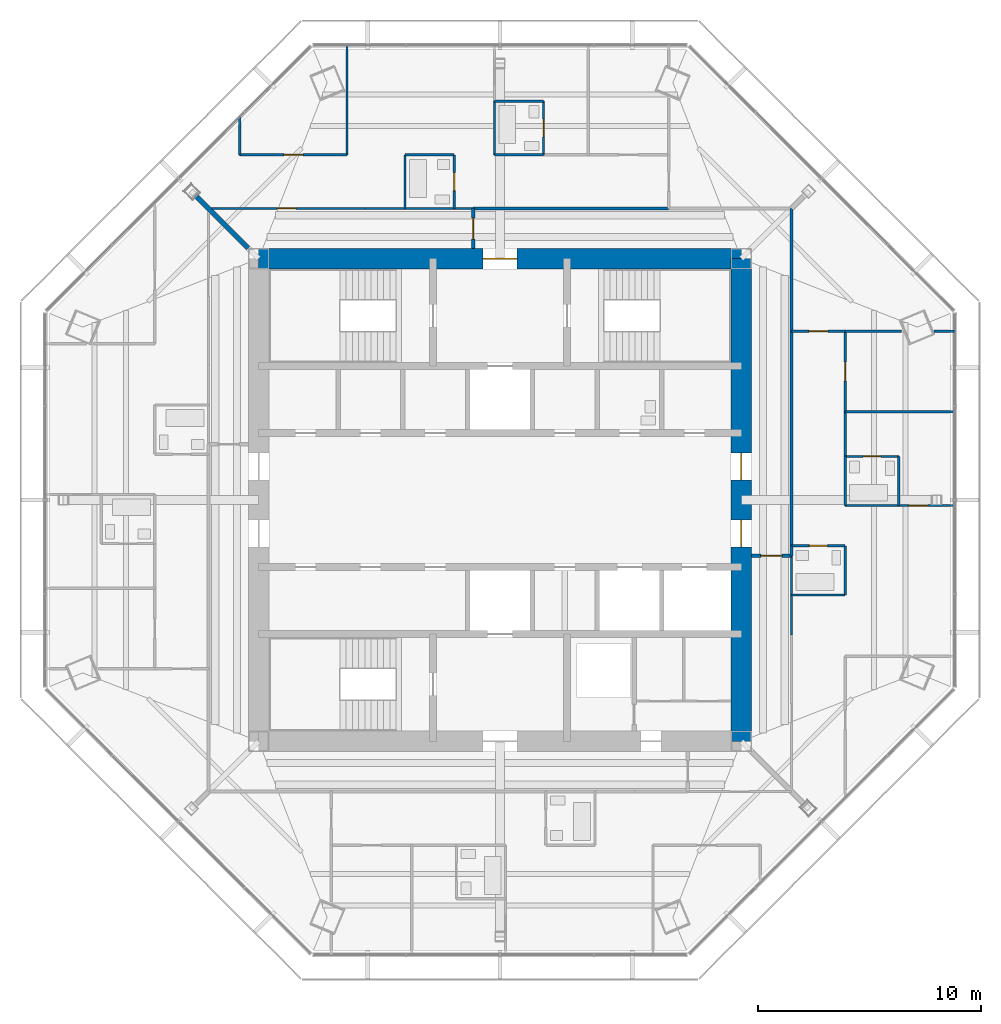
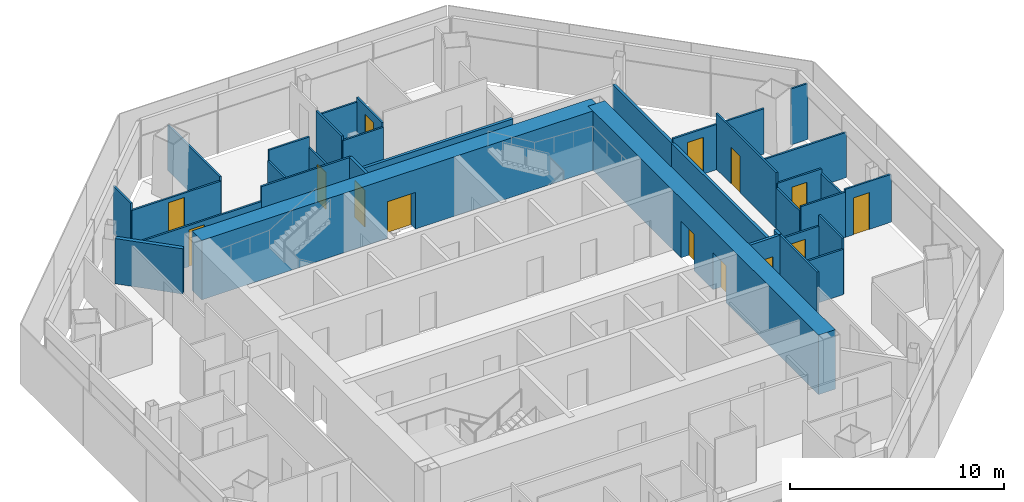
# One storey, part 12 of 15: 35 walls, 14 doors, 14 openings.
"""IFC4 building model written with IfcOpenShell, lengths in metres."""

from ifc_helpers import new_model, si_unit, direction, frame, frame_2d, origin, place, context, subcontext, project, spatial, rectangle, extrude, material, layer, layer_set, type_object, element, fill, save


model = new_model("IFC4")

# Units and contexts
model_context = context("Model", 3, precision=1e-05, world=origin(), true_north=direction((0.0, 1.0)))
body_context = subcontext(model_context, "Body", "Model", "MODEL_VIEW")
ifc_project = project(units=[si_unit("LENGTHUNIT", "METRE"), si_unit("AREAUNIT", "SQUARE_METRE"), si_unit("VOLUMEUNIT", "CUBIC_METRE"), si_unit("PLANEANGLEUNIT", "RADIAN"), si_unit("MASSUNIT", "GRAM", prefix="KILO")], contexts=[model_context])

# Site, building, storey
site_placement = place(None, origin())
site = spatial("IfcSite", under=ifc_project, at=site_placement, CompositionType="ELEMENT")
building_placement = place(site_placement, origin())
building = spatial("IfcBuilding", under=site, at=building_placement, Name="Mashrafa Tower", CompositionType="ELEMENT")
storey_placement = place(building_placement, frame((0.0, 0.0, 270.800048828125)))
storey = spatial("IfcBuildingStorey", under=building, at=storey_placement, Name="L65", CompositionType="ELEMENT", Elevation=270.800048828125)

# Wall
ifc_material_1 = material(Name="Gypsum board on steel studs", Category="steel")
ifc_layer_1 = layer(ifc_material_1, 0.199951171875)
ifc_layer_set_1 = layer_set([ifc_layer_1], Name="Acoustic partition 200 1 hr")
wall_type_1 = type_object("IfcWallType", Name="Acoustic partition 200 1 hr", PredefinedType="PARTITIONING", material=ifc_layer_set_1)
wall_1_placement = place(storey_placement, frame((-13.586181640625, 13.586181640625, 0.0), z_axis=(0.0, 0.0, 1.0), x_axis=(0.707106781187, -0.707106781187, 0.0)))
element("IfcWall", 1, at=wall_1_placement, inside=storey, type_object=wall_type_1, Name="Acoustic wall L65-065", PredefinedType="PARTITIONING", context=body_context, shape_type="SweptSolid", body=[
    extrude(rectangle(XDim=3.27685546875, YDim=0.199951171875, at=frame_2d((1.638427734375, 0.0))), origin(), (0.0, 0.0, 1.0), 2.590576171875),
])

# Wall, openings, doors
ifc_material_2 = material(Name="Concrete C50/60", Category="concrete")
ifc_layer_2 = layer(ifc_material_2, 0.89990234375)
ifc_layer_set_2 = layer_set([ifc_layer_2], Name="Core wall 900 C50/60")
wall_type_2 = type_object("IfcWallType", Name="Core wall 900 C50/60", PredefinedType="SOLIDWALL", material=ifc_layer_set_2)
wall_2_placement = place(storey_placement, frame((10.800048828125, -10.800048828125, 0.0), z_axis=(0.0, 0.0, 1.0), x_axis=(0.0, 1.0, 0.0)))
wall_2 = element("IfcWall", 2, at=wall_2_placement, inside=storey, type_object=wall_type_2, Name="Core wall CW-E L65", PredefinedType="SOLIDWALL", context=body_context, shape_type="SweptSolid", body=[
    extrude(rectangle(XDim=21.60009765625, YDim=0.89990234375, at=frame_2d((10.800048828125, 0.0))), origin(), (0.0, 0.0, 1.0), 3.39990234375),
])
opening_1_placement = place(wall_2_placement, frame((11.699951171875, 0.0, 0.0)))
opening_1 = element("IfcOpeningElement", 3, at=opening_1_placement, cuts=wall_2, Name="Opening 65.033", PredefinedType="OPENING", context=body_context, shape_type="SweptSolid", body=[
    extrude(rectangle(XDim=1.199951171875, YDim=2.10009765625, at=frame_2d((0.60009765625, 1.050048828125))), frame((0.0, 0.4599609375, 0.0), z_axis=(0.0, -1.0, 0.0), x_axis=(1.0, 0.0, 0.0)), (0.0, 0.0, 1.0), 0.919921875),
])
opening_2_placement = place(wall_2_placement, frame((8.699951171875, 0.0, 0.0)))
opening_2 = element("IfcOpeningElement", 4, at=opening_2_placement, cuts=wall_2, Name="Opening 65.035", PredefinedType="OPENING", context=body_context, shape_type="SweptSolid", body=[
    extrude(rectangle(XDim=1.199951171875, YDim=2.10009765625, at=frame_2d((0.60009765625, 1.050048828125))), frame((0.0, 0.4599609375, 0.0), z_axis=(0.0, -1.0, 0.0), x_axis=(1.0, 0.0, 0.0)), (0.0, 0.0, 1.0), 0.919921875),
])
ifc_material_3 = material(Name="Steel door", Category="steel")
door_type_1 = type_object("IfcDoorType", Name="Lift hall door 1200 x 2100 90 min", OperationType="USERDEFINED", PredefinedType="DOOR", material=ifc_material_3)
door_1_placement = place(opening_1_placement, frame((1.199951171875, 0.0, 0.0), z_axis=(0.0, 0.0, 1.0), x_axis=(-1.0, 0.0, 0.0)))
door_1 = element("IfcDoor", 5, at=door_1_placement, inside=storey, type_object=door_type_1, Name="Lift hall door east L65", OperationType="SINGLE_SWING_RIGHT", OverallHeight=2.10009765625, OverallWidth=1.199951171875, PredefinedType="DOOR", context=body_context, shape_type="SweptSolid", body=[
    extrude(rectangle(XDim=1.199951171875, YDim=2.10009765625, at=frame_2d((0.60009765625, 1.050048828125))), frame((0.0, 0.02490234375, 0.0), z_axis=(0.0, -1.0, 0.0), x_axis=(1.0, 0.0, 0.0)), (0.0, 0.0, 1.0), 0.050048828125),
])
fill(opening_1, door_1)
door_2_placement = place(opening_2_placement, origin())
door_2 = element("IfcDoor", 6, at=door_2_placement, inside=storey, type_object=door_type_1, Name="Lift hall door east L65", OperationType="SINGLE_SWING_LEFT", OverallHeight=2.10009765625, OverallWidth=1.199951171875, PredefinedType="DOOR", context=body_context, shape_type="SweptSolid", body=[
    extrude(rectangle(XDim=1.199951171875, YDim=2.10009765625, at=frame_2d((0.60009765625, 1.050048828125))), frame((0.0, 0.02490234375, 0.0), z_axis=(0.0, -1.0, 0.0), x_axis=(1.0, 0.0, 0.0)), (0.0, 0.0, 1.0), 0.050048828125),
])
fill(opening_2, door_2)

# Wall, opening, door
wall_3_placement = place(storey_placement, frame((10.800048828125, 10.800048828125, 0.0), z_axis=(0.0, 0.0, 1.0), x_axis=(-1.0, 0.0, 0.0)))
wall_3 = element("IfcWall", 7, at=wall_3_placement, inside=storey, type_object=wall_type_2, Name="Core wall CW-N L65", PredefinedType="SOLIDWALL", context=body_context, shape_type="SweptSolid", body=[
    extrude(rectangle(XDim=21.60009765625, YDim=0.89990234375, at=frame_2d((10.800048828125, 0.0))), origin(), (0.0, 0.0, 1.0), 3.39990234375),
])
opening_3_placement = place(wall_3_placement, frame((10.050048828125, 0.0, 0.0)))
opening_3 = element("IfcOpeningElement", 8, at=opening_3_placement, cuts=wall_3, Name="Opening 65.037", PredefinedType="OPENING", context=body_context, shape_type="SweptSolid", body=[
    extrude(rectangle(XDim=1.5, YDim=2.10009765625, at=frame_2d((0.75, 1.050048828125))), frame((0.0, 0.4599609375, 0.0), z_axis=(0.0, -1.0, 0.0), x_axis=(1.0, 0.0, 0.0)), (0.0, 0.0, 1.0), 0.919921875),
])
ifc_material_4 = material(Name="Steel door", Category="steel")
door_type_2 = type_object("IfcDoorType", Name="Lobby door pair 1500 x 2100 90 min", OperationType="DOUBLE_DOOR_SINGLE_SWING", PredefinedType="DOOR", material=ifc_material_4)
door_3_placement = place(opening_3_placement, origin())
door_3 = element("IfcDoor", 9, at=door_3_placement, inside=storey, type_object=door_type_2, Name="Fire-fighting lobby F1 door L65", OperationType="DOUBLE_DOOR_SINGLE_SWING", OverallHeight=2.10009765625, OverallWidth=1.5, PredefinedType="DOOR", context=body_context, shape_type="SweptSolid", body=[
    extrude(rectangle(XDim=1.5, YDim=2.10009765625, at=frame_2d((0.75, 1.050048828125))), frame((0.0, 0.02490234375, 0.0), z_axis=(0.0, -1.0, 0.0), x_axis=(1.0, 0.0, 0.0)), (0.0, 0.0, 1.0), 0.050048828125),
])
fill(opening_3, door_3)

# Walls
ifc_material_5 = material(Name="Gypsum board on steel studs", Category="steel")
ifc_layer_3 = layer(ifc_material_5, 0.14990234375)
ifc_layer_set_3 = layer_set([ifc_layer_3], Name="Corridor partition 150 1 hr")
wall_type_3 = type_object("IfcWallType", Name="Corridor partition 150 1 hr", PredefinedType="PARTITIONING", material=ifc_layer_set_3)
wall_4_placement = place(storey_placement, frame((13.050048828125, -2.5, 0.0), z_axis=(0.0, 0.0, 1.0), x_axis=(0.0, 1.0, 0.0)))
element("IfcWall", 10, at=wall_4_placement, inside=storey, type_object=wall_type_3, Name="Corridor wall L65-001", PredefinedType="PARTITIONING", context=body_context, shape_type="SweptSolid", body=[
    extrude(rectangle(XDim=0.450927734375, YDim=0.14990234375, at=frame_2d((0.2255859375, 0.0))), origin(), (0.0, 0.0, 1.0), 3.199951171875),
])
wall_5_placement = place(storey_placement, frame((13.050048828125, 7.549072265625, 0.0), z_axis=(0.0, 0.0, 1.0), x_axis=(0.0, 1.0, 0.0)))
element("IfcWall", 11, at=wall_5_placement, inside=storey, type_object=wall_type_3, Name="Corridor wall L65-002", PredefinedType="PARTITIONING", context=body_context, shape_type="SweptSolid", body=[
    extrude(rectangle(XDim=5.5009765625, YDim=0.14990234375, at=frame_2d((2.75048828125, 0.0))), origin(), (0.0, 0.0, 1.0), 2.349365234375),
])
wall_6_placement = place(storey_placement, frame((13.050048828125, -2.051025390625, 0.0), z_axis=(0.0, 0.0, 1.0), x_axis=(0.0, 1.0, 0.0)))
element("IfcWall", 12, at=wall_6_placement, inside=storey, type_object=wall_type_3, Name="Corridor wall L65-003", PredefinedType="PARTITIONING", context=body_context, shape_type="SweptSolid", body=[
    extrude(rectangle(XDim=9.60205078125, YDim=0.14990234375, at=frame_2d((4.801025390625, 0.0))), origin(), (0.0, 0.0, 1.0), 2.34423828125),
])
wall_7_placement = place(storey_placement, frame((7.551025390625, 13.050048828125, 0.0), z_axis=(0.0, 0.0, 1.0), x_axis=(-1.0, 0.0, 0.0)))
element("IfcWall", 13, at=wall_7_placement, inside=storey, type_object=wall_type_3, Name="Corridor wall L65-005", PredefinedType="PARTITIONING", context=body_context, shape_type="SweptSolid", body=[
    extrude(rectangle(XDim=8.7509765625, YDim=0.14990234375, at=frame_2d((4.37548828125, 0.0))), origin(), (0.0, 0.0, 1.0), 2.34423828125),
])

# Wall, opening, door
wall_8_placement = place(storey_placement, frame((11.25, -2.5, 0.0), z_axis=(0.0, 0.0, 1.0), x_axis=(1.0, 0.0, 0.0)))
wall_8 = element("IfcWall", 14, at=wall_8_placement, inside=storey, type_object=wall_type_3, Name="Corridor wall L65-006", PredefinedType="PARTITIONING", context=body_context, shape_type="SweptSolid", body=[
    extrude(rectangle(XDim=1.800048828125, YDim=0.14990234375, at=frame_2d((0.89990234375, 0.0))), origin(), (0.0, 0.0, 1.0), 3.199951171875),
])
opening_4_placement = place(wall_8_placement, frame((0.425048828125, 0.0, 0.0)))
opening_4 = element("IfcOpeningElement", 15, at=opening_4_placement, cuts=wall_8, Name="Opening 65.029", PredefinedType="OPENING", context=body_context, shape_type="SweptSolid", body=[
    extrude(rectangle(XDim=0.949951171875, YDim=2.10009765625, at=frame_2d((0.47509765625, 1.050048828125))), frame((0.0, 0.0849609375, 0.0), z_axis=(0.0, -1.0, 0.0), x_axis=(1.0, 0.0, 0.0)), (0.0, 0.0, 1.0), 0.169921875),
])
ifc_material_6 = material(Name="Steel door", Category="steel")
door_type_3 = type_object("IfcDoorType", Name="Residence entrance door 950 x 2100 20 min", OperationType="USERDEFINED", PredefinedType="DOOR", material=ifc_material_6)
door_4_placement = place(opening_4_placement, origin())
door_4 = element("IfcDoor", 16, at=door_4_placement, inside=storey, type_object=door_type_3, Name="Apartment 6501 Entrance Hall door", OperationType="SINGLE_SWING_RIGHT", OverallHeight=2.10009765625, OverallWidth=0.949951171875, PredefinedType="DOOR", context=body_context, shape_type="SweptSolid", body=[
    extrude(rectangle(XDim=0.949951171875, YDim=2.10009765625, at=frame_2d((0.47509765625, 1.050048828125))), frame((0.0, 0.02490234375, 0.0), z_axis=(0.0, -1.0, 0.0), x_axis=(1.0, 0.0, 0.0)), (0.0, 0.0, 1.0), 0.050048828125),
])
fill(opening_4, door_4)

wall_9_placement = place(storey_placement, frame((-1.199951171875, 13.050048828125, 0.0), z_axis=(0.0, 0.0, 1.0), x_axis=(0.0, -1.0, 0.0)))
wall_9 = element("IfcWall", 17, at=wall_9_placement, inside=storey, type_object=wall_type_3, Name="Corridor wall L65-007", PredefinedType="PARTITIONING", context=body_context, shape_type="SweptSolid", body=[
    extrude(rectangle(XDim=1.800048828125, YDim=0.14990234375, at=frame_2d((0.89990234375, 0.0))), origin(), (0.0, 0.0, 1.0), 3.199951171875),
])
opening_5_placement = place(wall_9_placement, frame((0.425048828125, 0.0, 0.0)))
opening_5 = element("IfcOpeningElement", 18, at=opening_5_placement, cuts=wall_9, Name="Opening 65.031", PredefinedType="OPENING", context=body_context, shape_type="SweptSolid", body=[
    extrude(rectangle(XDim=0.949951171875, YDim=2.10009765625, at=frame_2d((0.47509765625, 1.050048828125))), frame((0.0, 0.0849609375, 0.0), z_axis=(0.0, -1.0, 0.0), x_axis=(1.0, 0.0, 0.0)), (0.0, 0.0, 1.0), 0.169921875),
])
door_5_placement = place(opening_5_placement, origin())
door_5 = element("IfcDoor", 19, at=door_5_placement, inside=storey, type_object=door_type_3, Name="Apartment 6502 Entrance Hall door", OperationType="SINGLE_SWING_LEFT", OverallHeight=2.10009765625, OverallWidth=0.949951171875, PredefinedType="DOOR", context=body_context, shape_type="SweptSolid", body=[
    extrude(rectangle(XDim=0.949951171875, YDim=2.10009765625, at=frame_2d((0.47509765625, 1.050048828125))), frame((0.0, 0.02490234375, 0.0), z_axis=(0.0, -1.0, 0.0), x_axis=(1.0, 0.0, 0.0)), (0.0, 0.0, 1.0), 0.050048828125),
])
fill(opening_5, door_5)

# Wall
ifc_material_7 = material(Name="Gypsum board on steel studs", Category="steel")
ifc_layer_4 = layer(ifc_material_7, 0.10009765625)
ifc_layer_set_4 = layer_set([ifc_layer_4], Name="Partition 100")
wall_type_4 = type_object("IfcWallType", Name="Partition 100", PredefinedType="PARTITIONING", material=ifc_layer_set_4)
wall_10_placement = place(storey_placement, frame((-11.64990234375, 17.111328125, 0.0), z_axis=(0.0, 0.0, 1.0), x_axis=(0.0, -1.0, 0.0)))
element("IfcWall", 20, at=wall_10_placement, inside=storey, type_object=wall_type_4, Name="Partition wall L65-021", PredefinedType="PARTITIONING", context=body_context, shape_type="SweptSolid", body=[
    extrude(rectangle(XDim=1.661376953125, YDim=0.10009765625, at=frame_2d((0.83056640625, 0.0))), origin(), (0.0, 0.0, 1.0), 2.740234375),
])

# Wall, opening, door
wall_11_placement = place(storey_placement, frame((-11.64990234375, 15.449951171875, 0.0), z_axis=(0.0, 0.0, 1.0), x_axis=(1.0, 0.0, 0.0)))
wall_11 = element("IfcWall", 21, at=wall_11_placement, inside=storey, type_object=wall_type_4, Name="Partition wall L65-022", PredefinedType="PARTITIONING", context=body_context, shape_type="SweptSolid", body=[
    extrude(rectangle(XDim=4.7998046875, YDim=0.10009765625, at=frame_2d((2.39990234375, 0.0))), origin(), (0.0, 0.0, 1.0), 2.349365234375),
])
opening_6_placement = place(wall_11_placement, frame((1.97509765625, 0.0, 0.0)))
opening_6 = element("IfcOpeningElement", 22, at=opening_6_placement, cuts=wall_11, Name="Opening 65.002", PredefinedType="OPENING", context=body_context, shape_type="SweptSolid", body=[
    extrude(rectangle(XDim=0.85009765625, YDim=2.10009765625, at=frame_2d((0.425048828125, 1.050048828125))), frame((0.0, 0.06005859375, 0.0), z_axis=(0.0, -1.0, 0.0), x_axis=(1.0, 0.0, 0.0)), (0.0, 0.0, 1.0), 0.1201171875),
])
ifc_material_8 = material(Name="Timber door", Category="wood")
door_type_4 = type_object("IfcDoorType", Name="Bedroom door 850 x 2100", OperationType="USERDEFINED", PredefinedType="DOOR", material=ifc_material_8)
door_6_placement = place(opening_6_placement, origin())
door_6 = element("IfcDoor", 23, at=door_6_placement, inside=storey, type_object=door_type_4, Name="Apartment 6502 Dining Room door", OperationType="SINGLE_SWING_LEFT", OverallHeight=2.10009765625, OverallWidth=0.85009765625, PredefinedType="DOOR", context=body_context, shape_type="SweptSolid", body=[
    extrude(rectangle(XDim=0.85009765625, YDim=2.10009765625, at=frame_2d((0.425048828125, 1.050048828125))), frame((0.0, 0.02490234375, 0.0), z_axis=(0.0, -1.0, 0.0), x_axis=(1.0, 0.0, 0.0)), (0.0, 0.0, 1.0), 0.050048828125),
])
fill(opening_6, door_6)

# Walls
wall_12_placement = place(storey_placement, frame((-6.85009765625, 15.449951171875, 0.0), z_axis=(0.0, 0.0, 1.0), x_axis=(0.0, 1.0, 0.0)))
element("IfcWall", 24, at=wall_12_placement, inside=storey, type_object=wall_type_4, Name="Partition wall L65-023", PredefinedType="PARTITIONING", context=body_context, shape_type="SweptSolid", body=[
    extrude(rectangle(XDim=4.88623046875, YDim=0.10009765625, at=frame_2d((2.443115234375, 0.0))), origin(), (0.0, 0.0, 1.0), 2.590576171875),
])
wall_13_placement = place(storey_placement, frame((15.449951171875, -4.25, 0.0), z_axis=(0.0, 0.0, 1.0), x_axis=(-1.0, 0.0, 0.0)))
element("IfcWall", 25, at=wall_13_placement, inside=storey, type_object=wall_type_4, Name="Partition wall L65-030", PredefinedType="PARTITIONING", context=body_context, shape_type="SweptSolid", body=[
    extrude(rectangle(XDim=2.39990234375, YDim=0.10009765625, at=frame_2d((1.199951171875, 0.0))), origin(), (0.0, 0.0, 1.0), 2.590576171875),
])
wall_14_placement = place(storey_placement, frame((13.050048828125, -6.050048828125, 0.0), z_axis=(0.0, 0.0, 1.0), x_axis=(0.0, 1.0, 0.0)))
element("IfcWall", 26, at=wall_14_placement, inside=storey, type_object=wall_type_4, Name="Partition wall L65-031", PredefinedType="PARTITIONING", context=body_context, shape_type="SweptSolid", body=[
    extrude(rectangle(XDim=3.551025390625, YDim=0.10009765625, at=frame_2d((1.775390625, 0.0))), origin(), (0.0, 0.0, 1.0), 3.199951171875),
])
wall_15_placement = place(storey_placement, frame((15.449951171875, -4.25, 0.0), z_axis=(0.0, 0.0, 1.0), x_axis=(0.0, 1.0, 0.0)))
element("IfcWall", 27, at=wall_15_placement, inside=storey, type_object=wall_type_4, Name="Partition wall L65-032", PredefinedType="PARTITIONING", context=body_context, shape_type="SweptSolid", body=[
    extrude(rectangle(XDim=2.199951171875, YDim=0.10009765625, at=frame_2d((1.10009765625, 0.0))), origin(), (0.0, 0.0, 1.0), 3.199951171875),
])

# Wall, opening, door
wall_16_placement = place(storey_placement, frame((15.449951171875, -2.050048828125, 0.0), z_axis=(0.0, 0.0, 1.0), x_axis=(-1.0, 0.0, 0.0)))
wall_16 = element("IfcWall", 28, at=wall_16_placement, inside=storey, type_object=wall_type_4, Name="Partition wall L65-033", PredefinedType="PARTITIONING", context=body_context, shape_type="SweptSolid", body=[
    extrude(rectangle(XDim=2.39990234375, YDim=0.10009765625, at=frame_2d((1.199951171875, 0.0))), origin(), (0.0, 0.0, 1.0), 2.590576171875),
])
opening_7_placement = place(wall_16_placement, frame((0.800048828125, 0.0, 0.0)))
opening_7 = element("IfcOpeningElement", 29, at=opening_7_placement, cuts=wall_16, Name="Opening 65.005", PredefinedType="OPENING", context=body_context, shape_type="SweptSolid", body=[
    extrude(rectangle(XDim=0.800048828125, YDim=2.10009765625, at=frame_2d((0.39990234375, 1.050048828125))), frame((0.0, 0.06005859375, 0.0), z_axis=(0.0, -1.0, 0.0), x_axis=(1.0, 0.0, 0.0)), (0.0, 0.0, 1.0), 0.1201171875),
])
ifc_material_9 = material(Name="Timber door", Category="wood")
door_type_5 = type_object("IfcDoorType", Name="Bathroom door 800 x 2100", OperationType="USERDEFINED", PredefinedType="DOOR", material=ifc_material_9)
door_7_placement = place(opening_7_placement, origin())
door_7 = element("IfcDoor", 30, at=door_7_placement, inside=storey, type_object=door_type_5, Name="Apartment 6501 Bathroom door", OperationType="SINGLE_SWING_RIGHT", OverallHeight=2.10009765625, OverallWidth=0.800048828125, PredefinedType="DOOR", context=body_context, shape_type="SweptSolid", body=[
    extrude(rectangle(XDim=0.800048828125, YDim=2.10009765625, at=frame_2d((0.39990234375, 1.050048828125))), frame((0.0, 0.02490234375, 0.0), z_axis=(0.0, -1.0, 0.0), x_axis=(1.0, 0.0, 0.0)), (0.0, 0.0, 1.0), 0.050048828125),
])
fill(opening_7, door_7)

# Wall
wall_17_placement = place(storey_placement, frame((17.85009765625, -0.25, 0.0), z_axis=(0.0, 0.0, 1.0), x_axis=(0.0, 1.0, 0.0)))
element("IfcWall", 31, at=wall_17_placement, inside=storey, type_object=wall_type_4, Name="Partition wall L65-035", PredefinedType="PARTITIONING", context=body_context, shape_type="SweptSolid", body=[
    extrude(rectangle(XDim=2.199951171875, YDim=0.10009765625, at=frame_2d((1.10009765625, 0.0))), origin(), (0.0, 0.0, 1.0), 2.34423828125),
])

# Wall, opening, door
wall_18_placement = place(storey_placement, frame((17.85009765625, 1.949951171875, 0.0), z_axis=(0.0, 0.0, 1.0), x_axis=(-1.0, 0.0, 0.0)))
wall_18 = element("IfcWall", 32, at=wall_18_placement, inside=storey, type_object=wall_type_4, Name="Partition wall L65-036", PredefinedType="PARTITIONING", context=body_context, shape_type="SweptSolid", body=[
    extrude(rectangle(XDim=2.400146484375, YDim=0.10009765625, at=frame_2d((1.2001953125, 0.0))), origin(), (0.0, 0.0, 1.0), 2.590576171875),
])
opening_8_placement = place(wall_18_placement, frame((0.800048828125, 0.0, 0.0)))
opening_8 = element("IfcOpeningElement", 33, at=opening_8_placement, cuts=wall_18, Name="Opening 65.006", PredefinedType="OPENING", context=body_context, shape_type="SweptSolid", body=[
    extrude(rectangle(XDim=0.800048828125, YDim=2.10009765625, at=frame_2d((0.39990234375, 1.050048828125))), frame((0.0, 0.06005859375, 0.0), z_axis=(0.0, -1.0, 0.0), x_axis=(1.0, 0.0, 0.0)), (0.0, 0.0, 1.0), 0.1201171875),
])
door_8_placement = place(opening_8_placement, origin())
door_8 = element("IfcDoor", 34, at=door_8_placement, inside=storey, type_object=door_type_5, Name="Apartment 6501 En-suite Bathroom door", OperationType="SINGLE_SWING_LEFT", OverallHeight=2.10009765625, OverallWidth=0.800048828125, PredefinedType="DOOR", context=body_context, shape_type="SweptSolid", body=[
    extrude(rectangle(XDim=0.800048828125, YDim=2.10009765625, at=frame_2d((0.39990234375, 1.050048828125))), frame((0.0, 0.02490234375, 0.0), z_axis=(0.0, -1.0, 0.0), x_axis=(1.0, 0.0, 0.0)), (0.0, 0.0, 1.0), 0.050048828125),
])
fill(opening_8, door_8)

# Walls
wall_19_placement = place(storey_placement, frame((15.449951171875, 1.949951171875, 0.0), z_axis=(0.0, 0.0, 1.0), x_axis=(0.0, -1.0, 0.0)))
element("IfcWall", 35, at=wall_19_placement, inside=storey, type_object=wall_type_4, Name="Partition wall L65-037", PredefinedType="PARTITIONING", context=body_context, shape_type="SweptSolid", body=[
    extrude(rectangle(XDim=2.199951171875, YDim=0.10009765625, at=frame_2d((1.10009765625, 0.0))), origin(), (0.0, 0.0, 1.0), 2.34423828125),
])
wall_20_placement = place(storey_placement, frame((15.449951171875, -0.25, 0.0), z_axis=(0.0, 0.0, 1.0), x_axis=(1.0, 0.0, 0.0)))
element("IfcWall", 36, at=wall_20_placement, inside=storey, type_object=wall_type_4, Name="Partition wall L65-038", PredefinedType="PARTITIONING", context=body_context, shape_type="SweptSolid", body=[
    extrude(rectangle(XDim=2.400146484375, YDim=0.10009765625, at=frame_2d((1.2001953125, 0.0))), origin(), (0.0, 0.0, 1.0), 2.590576171875),
])
wall_21_placement = place(storey_placement, frame((20.336181640625, 3.949951171875, 0.0), z_axis=(0.0, 0.0, 1.0), x_axis=(-1.0, 0.0, 0.0)))
element("IfcWall", 37, at=wall_21_placement, inside=storey, type_object=wall_type_4, Name="Partition wall L65-039", PredefinedType="PARTITIONING", context=body_context, shape_type="SweptSolid", body=[
    extrude(rectangle(XDim=4.88623046875, YDim=0.10009765625, at=frame_2d((2.443115234375, 0.0))), origin(), (0.0, 0.0, 1.0), 2.590576171875),
])

# Wall, opening, door
wall_22_placement = place(storey_placement, frame((15.449951171875, 1.949951171875, 0.0), z_axis=(0.0, 0.0, 1.0), x_axis=(0.0, 1.0, 0.0)))
wall_22 = element("IfcWall", 38, at=wall_22_placement, inside=storey, type_object=wall_type_4, Name="Partition wall L65-040", PredefinedType="PARTITIONING", context=body_context, shape_type="SweptSolid", body=[
    extrude(rectangle(XDim=5.60009765625, YDim=0.10009765625, at=frame_2d((2.800048828125, 0.0))), origin(), (0.0, 0.0, 1.0), 3.199951171875),
])
opening_9_placement = place(wall_22_placement, frame((3.375, 0.0, 0.0)))
opening_9 = element("IfcOpeningElement", 39, at=opening_9_placement, cuts=wall_22, Name="Opening 65.008", PredefinedType="OPENING", context=body_context, shape_type="SweptSolid", body=[
    extrude(rectangle(XDim=0.85009765625, YDim=2.10009765625, at=frame_2d((0.425048828125, 1.050048828125))), frame((0.0, 0.06005859375, 0.0), z_axis=(0.0, -1.0, 0.0), x_axis=(1.0, 0.0, 0.0)), (0.0, 0.0, 1.0), 0.1201171875),
])
door_9_placement = place(opening_9_placement, frame((0.85009765625, 0.0, 0.0), z_axis=(0.0, 0.0, 1.0), x_axis=(-1.0, 0.0, 0.0)))
door_9 = element("IfcDoor", 40, at=door_9_placement, inside=storey, type_object=door_type_4, Name="Apartment 6501 Bedroom 2 door", OperationType="SINGLE_SWING_RIGHT", OverallHeight=2.10009765625, OverallWidth=0.85009765625, PredefinedType="DOOR", context=body_context, shape_type="SweptSolid", body=[
    extrude(rectangle(XDim=0.85009765625, YDim=2.10009765625, at=frame_2d((0.425048828125, 1.050048828125))), frame((0.0, 0.02490234375, 0.0), z_axis=(0.0, -1.0, 0.0), x_axis=(1.0, 0.0, 0.0)), (0.0, 0.0, 1.0), 0.050048828125),
])
fill(opening_9, door_9)

wall_23_placement = place(storey_placement, frame((17.85009765625, -0.25, 0.0), z_axis=(0.0, 0.0, 1.0), x_axis=(1.0, 0.0, 0.0)))
wall_23 = element("IfcWall", 41, at=wall_23_placement, inside=storey, type_object=wall_type_4, Name="Partition wall L65-041", PredefinedType="PARTITIONING", context=body_context, shape_type="SweptSolid", body=[
    extrude(rectangle(XDim=2.488037109375, YDim=0.10009765625, at=frame_2d((1.244140625, 0.0))), origin(), (0.0, 0.0, 1.0), 2.740234375),
])
opening_10_placement = place(wall_23_placement, frame((0.4521484375, 0.0, 0.0)))
opening_10 = element("IfcOpeningElement", 42, at=opening_10_placement, cuts=wall_23, Name="Opening 65.007", PredefinedType="OPENING", context=body_context, shape_type="SweptSolid", body=[
    extrude(rectangle(XDim=0.85009765625, YDim=2.10009765625, at=frame_2d((0.425048828125, 1.050048828125))), frame((0.0, 0.06005859375, 0.0), z_axis=(0.0, -1.0, 0.0), x_axis=(1.0, 0.0, 0.0)), (0.0, 0.0, 1.0), 0.1201171875),
])
door_10_placement = place(opening_10_placement, origin())
door_10 = element("IfcDoor", 43, at=door_10_placement, inside=storey, type_object=door_type_4, Name="Apartment 6501 Bedroom 1 door", OperationType="SINGLE_SWING_LEFT", OverallHeight=2.10009765625, OverallWidth=0.85009765625, PredefinedType="DOOR", context=body_context, shape_type="SweptSolid", body=[
    extrude(rectangle(XDim=0.85009765625, YDim=2.10009765625, at=frame_2d((0.425048828125, 1.050048828125))), frame((0.0, 0.02490234375, 0.0), z_axis=(0.0, -1.0, 0.0), x_axis=(1.0, 0.0, 0.0)), (0.0, 0.0, 1.0), 0.050048828125),
])
fill(opening_10, door_10)

# Walls
wall_24_placement = place(storey_placement, frame((20.336181640625, 7.550048828125, 0.0), z_axis=(0.0, 0.0, 1.0), x_axis=(-1.0, 0.0, 0.0)))
element("IfcWall", 44, at=wall_24_placement, inside=storey, type_object=wall_type_4, Name="Partition wall L65-042", PredefinedType="PARTITIONING", context=body_context, shape_type="SweptSolid", body=[
    extrude(rectangle(XDim=0.9130859375, YDim=0.10009765625, at=frame_2d((0.45654296875, 0.0))), origin(), (0.0, 0.0, 1.0), 3.199951171875),
])
wall_25_placement = place(storey_placement, frame((17.969970703125, 7.550048828125, 0.0), z_axis=(0.0, 0.0, 1.0), x_axis=(-1.0, 0.0, 0.0)))
element("IfcWall", 45, at=wall_25_placement, inside=storey, type_object=wall_type_4, Name="Partition wall L65-043", PredefinedType="PARTITIONING", context=body_context, shape_type="SweptSolid", body=[
    extrude(rectangle(XDim=2.52001953125, YDim=0.10009765625, at=frame_2d((1.260009765625, 0.0))), origin(), (0.0, 0.0, 1.0), 2.590576171875),
])

# Wall, opening, door
wall_26_placement = place(storey_placement, frame((13.050048828125, 7.550048828125, 0.0), z_axis=(0.0, 0.0, 1.0), x_axis=(1.0, 0.0, 0.0)))
wall_26 = element("IfcWall", 46, at=wall_26_placement, inside=storey, type_object=wall_type_4, Name="Partition wall L65-045", PredefinedType="PARTITIONING", context=body_context, shape_type="SweptSolid", body=[
    extrude(rectangle(XDim=2.40087890625, YDim=0.10009765625, at=frame_2d((1.200439453125, 0.0))), origin(), (0.0, 0.0, 1.0), 2.590576171875),
])
opening_11_placement = place(wall_26_placement, frame((0.775390625, 0.0, 0.0)))
opening_11 = element("IfcOpeningElement", 47, at=opening_11_placement, cuts=wall_26, Name="Opening 65.009", PredefinedType="OPENING", context=body_context, shape_type="SweptSolid", body=[
    extrude(rectangle(XDim=0.85009765625, YDim=2.10009765625, at=frame_2d((0.425048828125, 1.050048828125))), frame((0.0, 0.06005859375, 0.0), z_axis=(0.0, -1.0, 0.0), x_axis=(1.0, 0.0, 0.0)), (0.0, 0.0, 1.0), 0.1201171875),
])
door_11_placement = place(opening_11_placement, origin())
door_11 = element("IfcDoor", 48, at=door_11_placement, inside=storey, type_object=door_type_4, Name="Apartment 6501 Bedroom 3 door", OperationType="SINGLE_SWING_LEFT", OverallHeight=2.10009765625, OverallWidth=0.85009765625, PredefinedType="DOOR", context=body_context, shape_type="SweptSolid", body=[
    extrude(rectangle(XDim=0.85009765625, YDim=2.10009765625, at=frame_2d((0.425048828125, 1.050048828125))), frame((0.0, 0.02490234375, 0.0), z_axis=(0.0, -1.0, 0.0), x_axis=(1.0, 0.0, 0.0)), (0.0, 0.0, 1.0), 0.050048828125),
])
fill(opening_11, door_11)

# Walls
wall_27_placement = place(storey_placement, frame((-4.25, 13.050048828125, 0.0), z_axis=(0.0, 0.0, 1.0), x_axis=(0.0, 1.0, 0.0)))
element("IfcWall", 49, at=wall_27_placement, inside=storey, type_object=wall_type_4, Name="Partition wall L65-049", PredefinedType="PARTITIONING", context=body_context, shape_type="SweptSolid", body=[
    extrude(rectangle(XDim=2.39990234375, YDim=0.10009765625, at=frame_2d((1.199951171875, 0.0))), origin(), (0.0, 0.0, 1.0), 2.590576171875),
])
wall_28_placement = place(storey_placement, frame((-6.050048828125, 13.050048828125, 0.0), z_axis=(0.0, 0.0, 1.0), x_axis=(1.0, 0.0, 0.0)))
element("IfcWall", 50, at=wall_28_placement, inside=storey, type_object=wall_type_4, Name="Partition wall L65-050", PredefinedType="PARTITIONING", context=body_context, shape_type="SweptSolid", body=[
    extrude(rectangle(XDim=4.85107421875, YDim=0.10009765625, at=frame_2d((2.425537109375, 0.0))), origin(), (0.0, 0.0, 1.0), 3.199951171875),
])

# Wall, opening, door
wall_29_placement = place(storey_placement, frame((-2.050048828125, 13.050048828125, 0.0), z_axis=(0.0, 0.0, 1.0), x_axis=(0.0, 1.0, 0.0)))
wall_29 = element("IfcWall", 51, at=wall_29_placement, inside=storey, type_object=wall_type_4, Name="Partition wall L65-051", PredefinedType="PARTITIONING", context=body_context, shape_type="SweptSolid", body=[
    extrude(rectangle(XDim=2.39990234375, YDim=0.10009765625, at=frame_2d((1.199951171875, 0.0))), origin(), (0.0, 0.0, 1.0), 2.590576171875),
])
opening_12_placement = place(wall_29_placement, frame((0.800048828125, 0.0, 0.0)))
opening_12 = element("IfcOpeningElement", 52, at=opening_12_placement, cuts=wall_29, Name="Opening 65.011", PredefinedType="OPENING", context=body_context, shape_type="SweptSolid", body=[
    extrude(rectangle(XDim=0.800048828125, YDim=2.10009765625, at=frame_2d((0.39990234375, 1.050048828125))), frame((0.0, 0.06005859375, 0.0), z_axis=(0.0, -1.0, 0.0), x_axis=(1.0, 0.0, 0.0)), (0.0, 0.0, 1.0), 0.1201171875),
])
door_12_placement = place(opening_12_placement, origin())
door_12 = element("IfcDoor", 53, at=door_12_placement, inside=storey, type_object=door_type_5, Name="Apartment 6502 Bathroom door", OperationType="SINGLE_SWING_RIGHT", OverallHeight=2.10009765625, OverallWidth=0.800048828125, PredefinedType="DOOR", context=body_context, shape_type="SweptSolid", body=[
    extrude(rectangle(XDim=0.800048828125, YDim=2.10009765625, at=frame_2d((0.39990234375, 1.050048828125))), frame((0.0, 0.02490234375, 0.0), z_axis=(0.0, -1.0, 0.0), x_axis=(1.0, 0.0, 0.0)), (0.0, 0.0, 1.0), 0.050048828125),
])
fill(opening_12, door_12)

# Wall
wall_30_placement = place(storey_placement, frame((-2.050048828125, 15.449951171875, 0.0), z_axis=(0.0, 0.0, 1.0), x_axis=(-1.0, 0.0, 0.0)))
element("IfcWall", 54, at=wall_30_placement, inside=storey, type_object=wall_type_4, Name="Partition wall L65-052", PredefinedType="PARTITIONING", context=body_context, shape_type="SweptSolid", body=[
    extrude(rectangle(XDim=2.199951171875, YDim=0.10009765625, at=frame_2d((1.10009765625, 0.0))), origin(), (0.0, 0.0, 1.0), 3.199951171875),
])

# Wall, opening, door
wall_31_placement = place(storey_placement, frame((1.949951171875, 15.449951171875, 0.0), z_axis=(0.0, 0.0, 1.0), x_axis=(0.0, 1.0, 0.0)))
wall_31 = element("IfcWall", 55, at=wall_31_placement, inside=storey, type_object=wall_type_4, Name="Partition wall L65-054", PredefinedType="PARTITIONING", context=body_context, shape_type="SweptSolid", body=[
    extrude(rectangle(XDim=2.400146484375, YDim=0.10009765625, at=frame_2d((1.2001953125, 0.0))), origin(), (0.0, 0.0, 1.0), 2.590576171875),
])
opening_13_placement = place(wall_31_placement, frame((0.800048828125, 0.0, 0.0)))
opening_13 = element("IfcOpeningElement", 56, at=opening_13_placement, cuts=wall_31, Name="Opening 65.012", PredefinedType="OPENING", context=body_context, shape_type="SweptSolid", body=[
    extrude(rectangle(XDim=0.800048828125, YDim=2.10009765625, at=frame_2d((0.39990234375, 1.050048828125))), frame((0.0, 0.06005859375, 0.0), z_axis=(0.0, -1.0, 0.0), x_axis=(1.0, 0.0, 0.0)), (0.0, 0.0, 1.0), 0.1201171875),
])
door_13_placement = place(opening_13_placement, origin())
door_13 = element("IfcDoor", 57, at=door_13_placement, inside=storey, type_object=door_type_5, Name="Apartment 6502 En-suite Bathroom door", OperationType="SINGLE_SWING_RIGHT", OverallHeight=2.10009765625, OverallWidth=0.800048828125, PredefinedType="DOOR", context=body_context, shape_type="SweptSolid", body=[
    extrude(rectangle(XDim=0.800048828125, YDim=2.10009765625, at=frame_2d((0.39990234375, 1.050048828125))), frame((0.0, 0.02490234375, 0.0), z_axis=(0.0, -1.0, 0.0), x_axis=(1.0, 0.0, 0.0)), (0.0, 0.0, 1.0), 0.050048828125),
])
fill(opening_13, door_13)

# Walls
wall_32_placement = place(storey_placement, frame((1.949951171875, 17.85009765625, 0.0), z_axis=(0.0, 0.0, 1.0), x_axis=(-1.0, 0.0, 0.0)))
element("IfcWall", 58, at=wall_32_placement, inside=storey, type_object=wall_type_4, Name="Partition wall L65-055", PredefinedType="PARTITIONING", context=body_context, shape_type="SweptSolid", body=[
    extrude(rectangle(XDim=2.199951171875, YDim=0.10009765625, at=frame_2d((1.10009765625, 0.0))), origin(), (0.0, 0.0, 1.0), 2.34423828125),
])
wall_33_placement = place(storey_placement, frame((-0.25, 17.85009765625, 0.0), z_axis=(0.0, 0.0, 1.0), x_axis=(0.0, -1.0, 0.0)))
element("IfcWall", 59, at=wall_33_placement, inside=storey, type_object=wall_type_4, Name="Partition wall L65-056", PredefinedType="PARTITIONING", context=body_context, shape_type="SweptSolid", body=[
    extrude(rectangle(XDim=2.400146484375, YDim=0.10009765625, at=frame_2d((1.2001953125, 0.0))), origin(), (0.0, 0.0, 1.0), 2.590576171875),
])
wall_34_placement = place(storey_placement, frame((-0.25, 15.449951171875, 0.0), z_axis=(0.0, 0.0, 1.0), x_axis=(1.0, 0.0, 0.0)))
element("IfcWall", 60, at=wall_34_placement, inside=storey, type_object=wall_type_4, Name="Partition wall L65-057", PredefinedType="PARTITIONING", context=body_context, shape_type="SweptSolid", body=[
    extrude(rectangle(XDim=2.199951171875, YDim=0.10009765625, at=frame_2d((1.10009765625, 0.0))), origin(), (0.0, 0.0, 1.0), 2.34423828125),
])

# Wall, opening, door
wall_35_placement = place(storey_placement, frame((-13.050048828125, 13.050048828125, 0.0), z_axis=(0.0, 0.0, 1.0), x_axis=(1.0, 0.0, 0.0)))
wall_35 = element("IfcWall", 61, at=wall_35_placement, inside=storey, type_object=wall_type_4, Name="Partition wall L65-066", PredefinedType="PARTITIONING", context=body_context, shape_type="SweptSolid", body=[
    extrude(rectangle(XDim=7.0, YDim=0.10009765625, at=frame_2d((3.5, 0.0))), origin(), (0.0, 0.0, 1.0), 2.349365234375),
])
opening_14_placement = place(wall_35_placement, frame((3.074951171875, 0.0, 0.0)))
opening_14 = element("IfcOpeningElement", 62, at=opening_14_placement, cuts=wall_35, Name="Opening 65.016", PredefinedType="OPENING", context=body_context, shape_type="SweptSolid", body=[
    extrude(rectangle(XDim=0.85009765625, YDim=2.10009765625, at=frame_2d((0.425048828125, 1.050048828125))), frame((0.0, 0.06005859375, 0.0), z_axis=(0.0, -1.0, 0.0), x_axis=(1.0, 0.0, 0.0)), (0.0, 0.0, 1.0), 0.1201171875),
])
door_14_placement = place(opening_14_placement, origin())
door_14 = element("IfcDoor", 63, at=door_14_placement, inside=storey, type_object=door_type_4, Name="Apartment 6502 Living Room door", OperationType="SINGLE_SWING_LEFT", OverallHeight=2.10009765625, OverallWidth=0.85009765625, PredefinedType="DOOR", context=body_context, shape_type="SweptSolid", body=[
    extrude(rectangle(XDim=0.85009765625, YDim=2.10009765625, at=frame_2d((0.425048828125, 1.050048828125))), frame((0.0, 0.02490234375, 0.0), z_axis=(0.0, -1.0, 0.0), x_axis=(1.0, 0.0, 0.0)), (0.0, 0.0, 1.0), 0.050048828125),
])
fill(opening_14, door_14)

save(model, "model.ifc")
